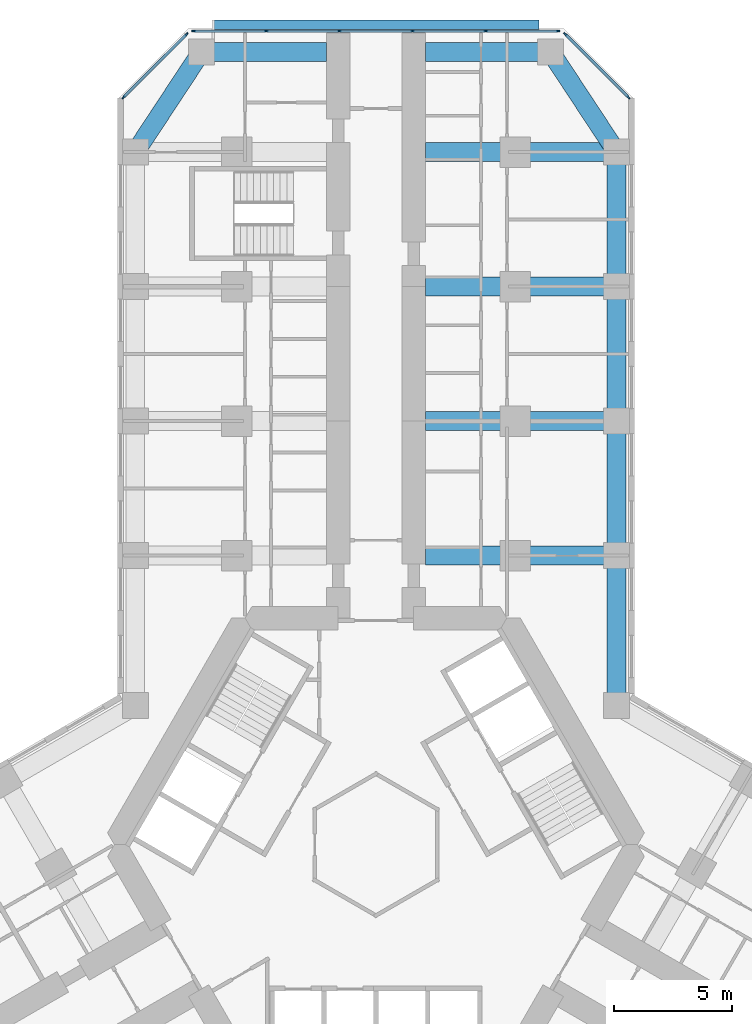
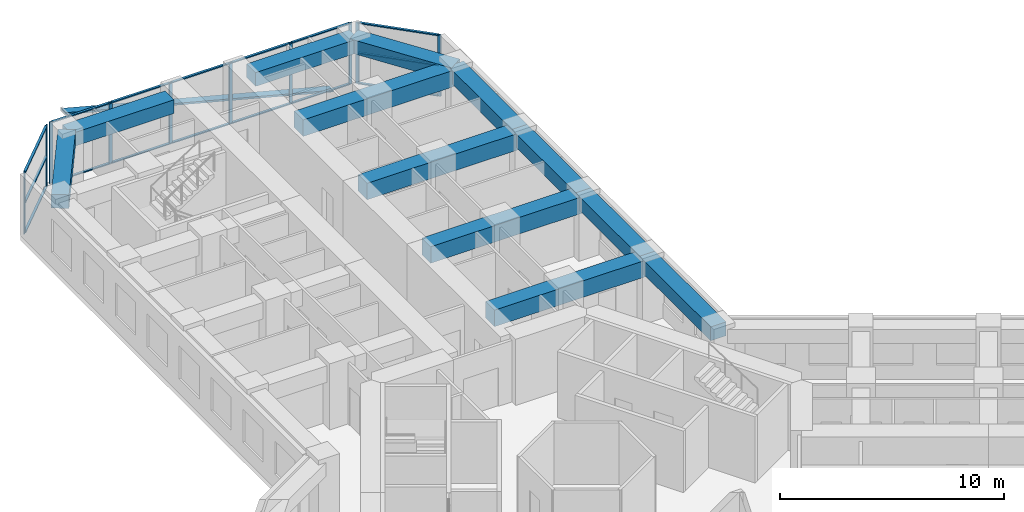
# One storey, part 7 of 21: 27 members, 12 beams, 3 elements without a shape of their own.
"""IFC4 building model written with IfcOpenShell, lengths in metres."""

from ifc_helpers import new_model, si_unit, direction, frame, origin, origin_2d, place, context, subcontext, project, spatial, rectangle, extrude, material, material_profile, profile_set, type_object, element, aggregate, save


model = new_model("IFC4")

# Units and contexts
model_context = context("Model", 3, precision=1e-05, world=origin(), true_north=direction((0.0, 1.0)))
body_context = subcontext(model_context, "Body", "Model", "MODEL_VIEW")
ifc_project = project(units=[si_unit("LENGTHUNIT", "METRE"), si_unit("AREAUNIT", "SQUARE_METRE"), si_unit("VOLUMEUNIT", "CUBIC_METRE"), si_unit("PLANEANGLEUNIT", "RADIAN"), si_unit("MASSUNIT", "GRAM", prefix="KILO")], contexts=[model_context])

# Site, building, storey
site_placement = place(None, origin())
site = spatial("IfcSite", under=ifc_project, at=site_placement, CompositionType="ELEMENT")
building_placement = place(site_placement, origin())
building = spatial("IfcBuilding", under=site, at=building_placement, Name="Kosmar Iwan School Tower", CompositionType="ELEMENT")
storey_placement = place(building_placement, frame((0.0, 0.0, 39.39990234375)))
storey = spatial("IfcBuildingStorey", under=building, at=storey_placement, Name="L08", CompositionType="ELEMENT", Elevation=39.39990234375)

# Member
ifc_material_1 = material(Name="Black anodised aluminium", Category="aluminium")
ifc_material_profile_1 = material_profile(ifc_material_1, rectangle(XDim=0.10009765625, YDim=0.39990234375, at=origin_2d()), Name="FIN 100x400")
ifc_profile_set_1 = profile_set([ifc_material_profile_1], Name="Black anodised aluminium")
member_type_1 = type_object("IfcMemberType", Name="Diagonal fin 100x400", PredefinedType="USERDEFINED", material=ifc_profile_set_1)
member_1_placement = place(storey_placement, frame((6.898193359375, 34.75, -0.14990234375), z_axis=(-0.967599450335, 0.0, 0.252490205179), x_axis=(0.252490205179, 0.0, 0.967599450335)))
element("IfcMember", 1, at=member_1_placement, inside=storey, type_object=member_type_1, Name="Diagonal fin L08-F08", ObjectType="FIN", PredefinedType="USERDEFINED", context=body_context, shape_type="SweptSolid", body=[
    extrude(rectangle(XDim=0.10009765625, YDim=0.39990234375, at=origin_2d()), origin(), (0.0, 0.0, 1.0), 14.25830078125),
])

# Curtain wall, members
ifc_material_2 = material(Name="Dark glass in black aluminium frame", Category="aluminium")
curtain_wall_type_1 = type_object("IfcCurtainWallType", Name="Chamfer curtain wall dark glass", PredefinedType="USERDEFINED", material=ifc_material_2)
curtain_wall_1_placement = place(storey_placement, origin())
curtain_wall_1 = element("IfcCurtainWall", 2, at=curtain_wall_1_placement, inside=storey, type_object=curtain_wall_type_1, Name="Curtain wall L08-F07", ObjectType="FACETED CURTAIN WALL", PredefinedType="USERDEFINED")
ifc_material_3 = material(Name="Black anodised aluminium", Category="aluminium")
ifc_material_profile_2 = material_profile(ifc_material_3, rectangle(XDim=0.06005859375, YDim=0.159912109375, at=origin_2d()), Name="MULLION 60x160")
ifc_profile_set_2 = profile_set([ifc_material_profile_2], Name="Black anodised aluminium")
member_type_2 = type_object("IfcMemberType", Name="Mullion 60x160", PredefinedType="MULLION", material=ifc_profile_set_2)
member_2_placement = place(storey_placement, frame((10.69775390625, 31.675537109375, 0.0), z_axis=(0.0, 0.0, 1.0), x_axis=(-0.707106781187, -0.707106781187, 0.0)))
member_2 = element("IfcMember", 3, at=member_2_placement, type_object=member_type_2, Name="CW2 mullion 1", PredefinedType="MULLION", context=body_context, shape_type="SweptSolid", body=[
    extrude(rectangle(XDim=0.06005859375, YDim=0.159912109375, at=origin_2d()), origin(), (0.0, 0.0, 1.0), 3.35009765625),
])
member_3_placement = place(storey_placement, frame((8.025390625, 34.34765625, 0.0), z_axis=(0.0, 0.0, 1.0), x_axis=(-0.707106781187, -0.707106781187, 0.0)))
member_3 = element("IfcMember", 4, at=member_3_placement, type_object=member_type_2, Name="CW2 mullion 2", PredefinedType="MULLION", context=body_context, shape_type="SweptSolid", body=[
    extrude(rectangle(XDim=0.06005859375, YDim=0.159912109375, at=origin_2d()), origin(), (0.0, 0.0, 1.0), 3.35009765625),
])

ifc_material_4 = material(Name="Dark glass in black aluminium frame", Category="aluminium")
curtain_wall_type_2 = type_object("IfcCurtainWallType", Name="Tower curtain wall dark glass", PredefinedType="USERDEFINED", material=ifc_material_4)
curtain_wall_2_placement = place(storey_placement, origin())
curtain_wall_2 = element("IfcCurtainWall", 5, at=curtain_wall_2_placement, inside=storey, type_object=curtain_wall_type_2, Name="Curtain wall L08-F08", ObjectType="UNITISED CURTAIN WALL", PredefinedType="USERDEFINED")
member_4_placement = place(storey_placement, frame((7.71826171875, 34.47509765625, 0.0), z_axis=(0.0, 0.0, 1.0), x_axis=(0.0, -1.0, 0.0)))
member_4 = element("IfcMember", 6, at=member_4_placement, type_object=member_type_2, Name="CW1 mullion 1", PredefinedType="MULLION", context=body_context, shape_type="SweptSolid", body=[
    extrude(rectangle(XDim=0.06005859375, YDim=0.159912109375, at=origin_2d()), origin(), (0.0, 0.0, 1.0), 3.35009765625),
])
member_5_placement = place(storey_placement, frame((4.64892578125, 34.47509765625, 0.0), z_axis=(0.0, 0.0, 1.0), x_axis=(0.0, -1.0, 0.0)))
member_5 = element("IfcMember", 7, at=member_5_placement, type_object=member_type_2, Name="CW1 mullion 2", PredefinedType="MULLION", context=body_context, shape_type="SweptSolid", body=[
    extrude(rectangle(XDim=0.06005859375, YDim=0.159912109375, at=origin_2d()), origin(), (0.0, 0.0, 1.0), 3.35009765625),
])
member_6_placement = place(storey_placement, frame((1.549560546875, 34.47509765625, 0.0), z_axis=(0.0, 0.0, 1.0), x_axis=(0.0, -1.0, 0.0)))
member_6 = element("IfcMember", 8, at=member_6_placement, type_object=member_type_2, Name="CW1 mullion 3", PredefinedType="MULLION", context=body_context, shape_type="SweptSolid", body=[
    extrude(rectangle(XDim=0.06005859375, YDim=0.159912109375, at=origin_2d()), origin(), (0.0, 0.0, 1.0), 3.35009765625),
])
member_7_placement = place(storey_placement, frame((-1.549560546875, 34.47509765625, 0.0), z_axis=(0.0, 0.0, 1.0), x_axis=(0.0, -1.0, 0.0)))
member_7 = element("IfcMember", 9, at=member_7_placement, type_object=member_type_2, Name="CW1 mullion 4", PredefinedType="MULLION", context=body_context, shape_type="SweptSolid", body=[
    extrude(rectangle(XDim=0.06005859375, YDim=0.159912109375, at=origin_2d()), origin(), (0.0, 0.0, 1.0), 3.35009765625),
])
member_8_placement = place(storey_placement, frame((-4.64892578125, 34.47509765625, 0.0), z_axis=(0.0, 0.0, 1.0), x_axis=(0.0, -1.0, 0.0)))
member_8 = element("IfcMember", 10, at=member_8_placement, type_object=member_type_2, Name="CW1 mullion 5", PredefinedType="MULLION", context=body_context, shape_type="SweptSolid", body=[
    extrude(rectangle(XDim=0.06005859375, YDim=0.159912109375, at=origin_2d()), origin(), (0.0, 0.0, 1.0), 3.35009765625),
])
member_9_placement = place(storey_placement, frame((-7.71826171875, 34.47509765625, 0.0), z_axis=(0.0, 0.0, 1.0), x_axis=(0.0, -1.0, 0.0)))
member_9 = element("IfcMember", 11, at=member_9_placement, type_object=member_type_2, Name="CW1 mullion 6", PredefinedType="MULLION", context=body_context, shape_type="SweptSolid", body=[
    extrude(rectangle(XDim=0.06005859375, YDim=0.159912109375, at=origin_2d()), origin(), (0.0, 0.0, 1.0), 3.35009765625),
])

curtain_wall_3_placement = place(storey_placement, origin())
curtain_wall_3 = element("IfcCurtainWall", 12, at=curtain_wall_3_placement, inside=storey, type_object=curtain_wall_type_1, Name="Curtain wall L08-F09", ObjectType="FACETED CURTAIN WALL", PredefinedType="USERDEFINED")
member_10_placement = place(storey_placement, frame((-8.025390625, 34.34765625, 0.0), z_axis=(0.0, 0.0, 1.0), x_axis=(0.707106781187, -0.707106781187, 0.0)))
member_10 = element("IfcMember", 13, at=member_10_placement, type_object=member_type_2, Name="CW2 mullion 1", PredefinedType="MULLION", context=body_context, shape_type="SweptSolid", body=[
    extrude(rectangle(XDim=0.06005859375, YDim=0.159912109375, at=origin_2d()), origin(), (0.0, 0.0, 1.0), 3.35009765625),
])
member_11_placement = place(storey_placement, frame((-10.69775390625, 31.675537109375, 0.0), z_axis=(0.0, 0.0, 1.0), x_axis=(0.707106781187, -0.707106781187, 0.0)))
member_11 = element("IfcMember", 14, at=member_11_placement, type_object=member_type_2, Name="CW2 mullion 2", PredefinedType="MULLION", context=body_context, shape_type="SweptSolid", body=[
    extrude(rectangle(XDim=0.06005859375, YDim=0.159912109375, at=origin_2d()), origin(), (0.0, 0.0, 1.0), 3.35009765625),
])

# Beams
ifc_material_5 = material(Name="Concrete C50/60", Category="concrete")
ifc_material_profile_3 = material_profile(ifc_material_5, rectangle(XDim=0.800048828125, YDim=0.75, at=origin_2d()), Name="RC 800x750")
ifc_profile_set_3 = profile_set([ifc_material_profile_3], Name="Concrete C50/60")
beam_type_1 = type_object("IfcBeamType", Name="RC edge beam 800x750", PredefinedType="BEAM", material=ifc_profile_set_3)
beam_1_placement = place(storey_placement, frame((10.199951171875, 5.888916015625, 2.97509765625), z_axis=(0.0, 1.0, 0.0), x_axis=(-1.0, 0.0, 0.0)))
element("IfcBeam", 15, at=beam_1_placement, inside=storey, type_object=beam_type_1, Name="Edge beam AR1", PredefinedType="BEAM", context=body_context, shape_type="SweptSolid", body=[
    extrude(rectangle(XDim=0.800048828125, YDim=0.75, at=origin_2d()), origin(), (0.0, 0.0, 1.0), 6.361083984375),
])
for number, where, z_axis, x_axis, name in (
    (16, (10.199951171875, 12.25, 2.97509765625), (0.0, 1.0, 0.0), (-1.0, 0.0, 0.0), "Edge beam AR2"),
    (17, (10.199951171875, 17.949951171875, 2.97509765625), (0.0, 1.0, 0.0), (-1.0, 0.0, 0.0), "Edge beam AR3"),
):
    element("IfcBeam", number, at=place(storey_placement, frame(where, z_axis=z_axis, x_axis=x_axis)), inside=storey, type_object=beam_type_1, Name=name, PredefinedType="BEAM", context=body_context, shape_type="SweptSolid", body=[
        extrude(rectangle(XDim=0.800048828125, YDim=0.75, at=origin_2d()), origin(), (0.0, 0.0, 1.0), 5.699951171875),
    ])
beam_2_placement = place(storey_placement, frame((10.199951171875, 23.64990234375, 2.97509765625), z_axis=(0.0, 1.0, 0.0), x_axis=(-1.0, 0.0, 0.0)))
element("IfcBeam", 18, at=beam_2_placement, inside=storey, type_object=beam_type_1, Name="Edge beam AR4", PredefinedType="BEAM", context=body_context, shape_type="SweptSolid", body=[
    extrude(rectangle(XDim=0.800048828125, YDim=0.75, at=origin_2d()), origin(), (0.0, 0.0, 1.0), 5.7001953125),
])
ifc_material_6 = material(Name="Concrete C50/60", Category="concrete")
ifc_material_profile_4 = material_profile(ifc_material_6, rectangle(XDim=0.800048828125, YDim=0.75, at=origin_2d()), Name="RC 800x750")
ifc_profile_set_4 = profile_set([ifc_material_profile_4], Name="Concrete C50/60")
beam_type_2 = type_object("IfcBeamType", Name="RC tip beam 800x750", PredefinedType="BEAM", material=ifc_profile_set_4)
beam_3_placement = place(storey_placement, frame((-10.199951171875, 29.35009765625, 2.97509765625), z_axis=(0.550164383043, 0.835056376319, 0.0), x_axis=(-0.835056376319, 0.550164383043, 0.0)))
element("IfcBeam", 19, at=beam_3_placement, inside=storey, type_object=beam_type_2, Name="Tip beam AL", PredefinedType="BEAM", context=body_context, shape_type="SweptSolid", body=[
    extrude(rectangle(XDim=0.800048828125, YDim=0.75, at=origin_2d()), origin(), (0.0, 0.0, 1.0), 5.08935546875),
])
beam_4_placement = place(storey_placement, frame((-7.39990234375, 33.60009765625, 2.97509765625), z_axis=(1.0, 0.0, 0.0), x_axis=(0.0, 1.0, 0.0)))
element("IfcBeam", 20, at=beam_4_placement, inside=storey, type_object=beam_type_2, Name="Tip beam AL to corridor wall", PredefinedType="BEAM", context=body_context, shape_type="SweptSolid", body=[
    extrude(rectangle(XDim=0.800048828125, YDim=0.75, at=origin_2d()), origin(), (0.0, 0.0, 1.0), 5.2998046875),
])
beam_5_placement = place(storey_placement, frame((10.199951171875, 29.35009765625, 2.97509765625), z_axis=(-0.550164383043, 0.835056376319, 0.0), x_axis=(-0.835056376319, -0.550164383043, 0.0)))
element("IfcBeam", 21, at=beam_5_placement, inside=storey, type_object=beam_type_2, Name="Tip beam AR", PredefinedType="BEAM", context=body_context, shape_type="SweptSolid", body=[
    extrude(rectangle(XDim=0.800048828125, YDim=0.75, at=origin_2d()), origin(), (0.0, 0.0, 1.0), 5.08935546875),
])
beam_6_placement = place(storey_placement, frame((7.39990234375, 33.60009765625, 2.97509765625), z_axis=(-1.0, 0.0, 0.0), x_axis=(0.0, -1.0, 0.0)))
element("IfcBeam", 22, at=beam_6_placement, inside=storey, type_object=beam_type_2, Name="Tip beam AR to corridor wall", PredefinedType="BEAM", context=body_context, shape_type="SweptSolid", body=[
    extrude(rectangle(XDim=0.800048828125, YDim=0.75, at=origin_2d()), origin(), (0.0, 0.0, 1.0), 5.2998046875),
])
ifc_material_7 = material(Name="Concrete C50/60", Category="concrete")
ifc_material_profile_5 = material_profile(ifc_material_7, rectangle(XDim=0.800048828125, YDim=0.89990234375, at=origin_2d()), Name="RC 800x900")
ifc_profile_set_5 = profile_set([ifc_material_profile_5], Name="Concrete C50/60")
beam_type_3 = type_object("IfcBeamType", Name="RC transverse beam 800x900", PredefinedType="BEAM", material=ifc_profile_set_5)
for number, where, z_axis, x_axis, name in (
    (23, (10.199951171875, 12.25, 2.900146484375), (-1.0, 0.0, 0.0), (0.0, -1.0, 0.0), "Transverse beam AR1"),
    (24, (10.199951171875, 17.949951171875, 2.900146484375), (-1.0, 0.0, 0.0), (0.0, -1.0, 0.0), "Transverse beam AR2"),
    (25, (10.199951171875, 23.64990234375, 2.900146484375), (-1.0, 0.0, 0.0), (0.0, -1.0, 0.0), "Transverse beam AR3"),
    (26, (10.199951171875, 29.35009765625, 2.900146484375), (-1.0, 0.0, 0.0), (0.0, -1.0, 0.0), "Transverse beam AR4"),
):
    element("IfcBeam", number, at=place(storey_placement, frame(where, z_axis=z_axis, x_axis=x_axis)), inside=storey, type_object=beam_type_3, Name=name, PredefinedType="BEAM", context=body_context, shape_type="SweptSolid", body=[
        extrude(rectangle(XDim=0.800048828125, YDim=0.89990234375, at=origin_2d()), origin(), (0.0, 0.0, 1.0), 8.099853515625),
    ])

# Member
ifc_material_8 = material(Name="Black anodised aluminium", Category="aluminium")
ifc_material_profile_6 = material_profile(ifc_material_8, rectangle(XDim=0.1201171875, YDim=0.06005859375, at=origin_2d()), Name="TRANSOM 60x120")
ifc_profile_set_6 = profile_set([ifc_material_profile_6], Name="Black anodised aluminium")
member_type_3 = type_object("IfcMemberType", Name="Transom 60x120", PredefinedType="USERDEFINED", material=ifc_profile_set_6)
member_12_placement = place(storey_placement, frame((10.676513671875, 31.69677734375, 0.030029296875), z_axis=(-0.707139603466, 0.707073957383, 0.0), x_axis=(-0.707073957383, -0.707139603466, 0.0)))
member_12 = element("IfcMember", 27, at=member_12_placement, type_object=member_type_3, Name="CW2 transom 1.1", ObjectType="TRANSOM", PredefinedType="USERDEFINED", context=body_context, shape_type="SweptSolid", body=[
    extrude(rectangle(XDim=0.1201171875, YDim=0.06005859375, at=origin_2d()), origin(), (0.0, 0.0, 1.0), 3.718994140625),
])

member_13_placement = place(storey_placement, frame((10.676513671875, 31.69677734375, 1.675048828125), z_axis=(-0.707139603466, 0.707073957383, 0.0), x_axis=(-0.707073957383, -0.707139603466, 0.0)))
member_13 = element("IfcMember", 28, at=member_13_placement, type_object=member_type_3, Name="CW2 transom 1.2", ObjectType="TRANSOM", PredefinedType="USERDEFINED", context=body_context, shape_type="SweptSolid", body=[
    extrude(rectangle(XDim=0.1201171875, YDim=0.06005859375, at=origin_2d()), origin(), (0.0, 0.0, 1.0), 3.718994140625),
])

member_14_placement = place(storey_placement, frame((10.676513671875, 31.69677734375, 3.320068359375), z_axis=(-0.707139603466, 0.707073957383, 0.0), x_axis=(-0.707073957383, -0.707139603466, 0.0)))
member_14 = element("IfcMember", 29, at=member_14_placement, type_object=member_type_3, Name="CW2 transom 1.3", ObjectType="TRANSOM", PredefinedType="USERDEFINED", context=body_context, shape_type="SweptSolid", body=[
    extrude(rectangle(XDim=0.1201171875, YDim=0.06005859375, at=origin_2d()), origin(), (0.0, 0.0, 1.0), 3.718994140625),
])

aggregate(curtain_wall_1, [member_2, member_3, member_12, member_13, member_14])

member_15_placement = place(storey_placement, frame((7.688232421875, 34.47509765625, 0.030029296875), z_axis=(-1.0, 0.0, 0.0), x_axis=(0.0, -1.0, 0.0)))
member_15 = element("IfcMember", 30, at=member_15_placement, type_object=member_type_3, Name="CW1 transom 1.1", ObjectType="TRANSOM", PredefinedType="USERDEFINED", context=body_context, shape_type="SweptSolid", body=[
    extrude(rectangle(XDim=0.1201171875, YDim=0.06005859375, at=origin_2d()), origin(), (0.0, 0.0, 1.0), 3.00927734375),
])

member_16_placement = place(storey_placement, frame((7.688232421875, 34.47509765625, 3.320068359375), z_axis=(-1.0, 0.0, 0.0), x_axis=(0.0, -1.0, 0.0)))
member_16 = element("IfcMember", 31, at=member_16_placement, type_object=member_type_3, Name="CW1 transom 1.2", ObjectType="TRANSOM", PredefinedType="USERDEFINED", context=body_context, shape_type="SweptSolid", body=[
    extrude(rectangle(XDim=0.1201171875, YDim=0.06005859375, at=origin_2d()), origin(), (0.0, 0.0, 1.0), 3.00927734375),
])

member_17_placement = place(storey_placement, frame((4.618896484375, 34.47509765625, 0.030029296875), z_axis=(-1.0, 0.0, 0.0), x_axis=(0.0, -1.0, 0.0)))
member_17 = element("IfcMember", 32, at=member_17_placement, type_object=member_type_3, Name="CW1 transom 2.1", ObjectType="TRANSOM", PredefinedType="USERDEFINED", context=body_context, shape_type="SweptSolid", body=[
    extrude(rectangle(XDim=0.1201171875, YDim=0.06005859375, at=origin_2d()), origin(), (0.0, 0.0, 1.0), 3.039306640625),
])

member_18_placement = place(storey_placement, frame((4.618896484375, 34.47509765625, 3.320068359375), z_axis=(-1.0, 0.0, 0.0), x_axis=(0.0, -1.0, 0.0)))
member_18 = element("IfcMember", 33, at=member_18_placement, type_object=member_type_3, Name="CW1 transom 2.2", ObjectType="TRANSOM", PredefinedType="USERDEFINED", context=body_context, shape_type="SweptSolid", body=[
    extrude(rectangle(XDim=0.1201171875, YDim=0.06005859375, at=origin_2d()), origin(), (0.0, 0.0, 1.0), 3.039306640625),
])

member_19_placement = place(storey_placement, frame((1.51953125, 34.47509765625, 0.030029296875), z_axis=(-1.0, 0.0, 0.0), x_axis=(0.0, -1.0, 0.0)))
member_19 = element("IfcMember", 34, at=member_19_placement, type_object=member_type_3, Name="CW1 transom 3.1", ObjectType="TRANSOM", PredefinedType="USERDEFINED", context=body_context, shape_type="SweptSolid", body=[
    extrude(rectangle(XDim=0.1201171875, YDim=0.06005859375, at=origin_2d()), origin(), (0.0, 0.0, 1.0), 3.0390625),
])

member_20_placement = place(storey_placement, frame((1.51953125, 34.47509765625, 3.320068359375), z_axis=(-1.0, 0.0, 0.0), x_axis=(0.0, -1.0, 0.0)))
member_20 = element("IfcMember", 35, at=member_20_placement, type_object=member_type_3, Name="CW1 transom 3.2", ObjectType="TRANSOM", PredefinedType="USERDEFINED", context=body_context, shape_type="SweptSolid", body=[
    extrude(rectangle(XDim=0.1201171875, YDim=0.06005859375, at=origin_2d()), origin(), (0.0, 0.0, 1.0), 3.0390625),
])

member_21_placement = place(storey_placement, frame((-1.57958984375, 34.47509765625, 0.030029296875), z_axis=(-1.0, 0.0, 0.0), x_axis=(0.0, -1.0, 0.0)))
member_21 = element("IfcMember", 36, at=member_21_placement, type_object=member_type_3, Name="CW1 transom 4.1", ObjectType="TRANSOM", PredefinedType="USERDEFINED", context=body_context, shape_type="SweptSolid", body=[
    extrude(rectangle(XDim=0.1201171875, YDim=0.06005859375, at=origin_2d()), origin(), (0.0, 0.0, 1.0), 3.039306640625),
])

member_22_placement = place(storey_placement, frame((-1.57958984375, 34.47509765625, 3.320068359375), z_axis=(-1.0, 0.0, 0.0), x_axis=(0.0, -1.0, 0.0)))
member_22 = element("IfcMember", 37, at=member_22_placement, type_object=member_type_3, Name="CW1 transom 4.2", ObjectType="TRANSOM", PredefinedType="USERDEFINED", context=body_context, shape_type="SweptSolid", body=[
    extrude(rectangle(XDim=0.1201171875, YDim=0.06005859375, at=origin_2d()), origin(), (0.0, 0.0, 1.0), 3.039306640625),
])

member_23_placement = place(storey_placement, frame((-4.678955078125, 34.47509765625, 0.030029296875), z_axis=(-1.0, 0.0, 0.0), x_axis=(0.0, -1.0, 0.0)))
member_23 = element("IfcMember", 38, at=member_23_placement, type_object=member_type_3, Name="CW1 transom 5.1", ObjectType="TRANSOM", PredefinedType="USERDEFINED", context=body_context, shape_type="SweptSolid", body=[
    extrude(rectangle(XDim=0.1201171875, YDim=0.06005859375, at=origin_2d()), origin(), (0.0, 0.0, 1.0), 3.00927734375),
])

member_24_placement = place(storey_placement, frame((-4.678955078125, 34.47509765625, 3.320068359375), z_axis=(-1.0, 0.0, 0.0), x_axis=(0.0, -1.0, 0.0)))
member_24 = element("IfcMember", 39, at=member_24_placement, type_object=member_type_3, Name="CW1 transom 5.2", ObjectType="TRANSOM", PredefinedType="USERDEFINED", context=body_context, shape_type="SweptSolid", body=[
    extrude(rectangle(XDim=0.1201171875, YDim=0.06005859375, at=origin_2d()), origin(), (0.0, 0.0, 1.0), 3.00927734375),
])

aggregate(curtain_wall_2, [member_4, member_5, member_6, member_7, member_8, member_9, member_15, member_16, member_17, member_18, member_19, member_20, member_21, member_22, member_23, member_24])

member_25_placement = place(storey_placement, frame((-8.046630859375, 34.326416015625, 0.030029296875), z_axis=(-0.707139603466, -0.707073957383, 0.0), x_axis=(0.707073957383, -0.707139603466, 0.0)))
member_25 = element("IfcMember", 40, at=member_25_placement, type_object=member_type_3, Name="CW2 transom 1.1", ObjectType="TRANSOM", PredefinedType="USERDEFINED", context=body_context, shape_type="SweptSolid", body=[
    extrude(rectangle(XDim=0.1201171875, YDim=0.06005859375, at=origin_2d()), origin(), (0.0, 0.0, 1.0), 3.718994140625),
])

member_26_placement = place(storey_placement, frame((-8.046630859375, 34.326416015625, 1.675048828125), z_axis=(-0.707139603466, -0.707073957383, 0.0), x_axis=(0.707073957383, -0.707139603466, 0.0)))
member_26 = element("IfcMember", 41, at=member_26_placement, type_object=member_type_3, Name="CW2 transom 1.2", ObjectType="TRANSOM", PredefinedType="USERDEFINED", context=body_context, shape_type="SweptSolid", body=[
    extrude(rectangle(XDim=0.1201171875, YDim=0.06005859375, at=origin_2d()), origin(), (0.0, 0.0, 1.0), 3.718994140625),
])

member_27_placement = place(storey_placement, frame((-8.046630859375, 34.326416015625, 3.320068359375), z_axis=(-0.707139603466, -0.707073957383, 0.0), x_axis=(0.707073957383, -0.707139603466, 0.0)))
member_27 = element("IfcMember", 42, at=member_27_placement, type_object=member_type_3, Name="CW2 transom 1.3", ObjectType="TRANSOM", PredefinedType="USERDEFINED", context=body_context, shape_type="SweptSolid", body=[
    extrude(rectangle(XDim=0.1201171875, YDim=0.06005859375, at=origin_2d()), origin(), (0.0, 0.0, 1.0), 3.718994140625),
])

aggregate(curtain_wall_3, [member_10, member_11, member_25, member_26, member_27])

save(model, "model.ifc")
